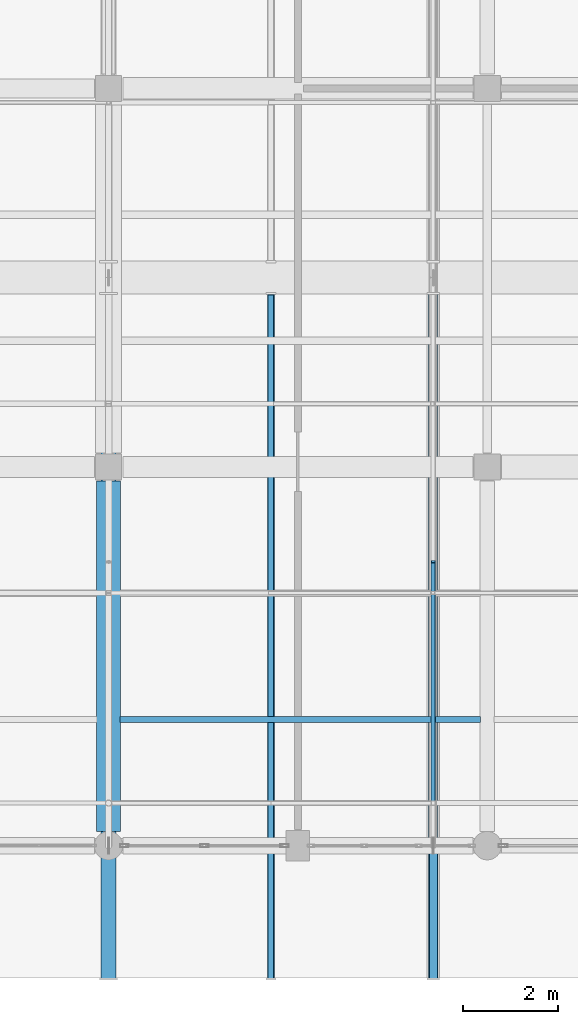
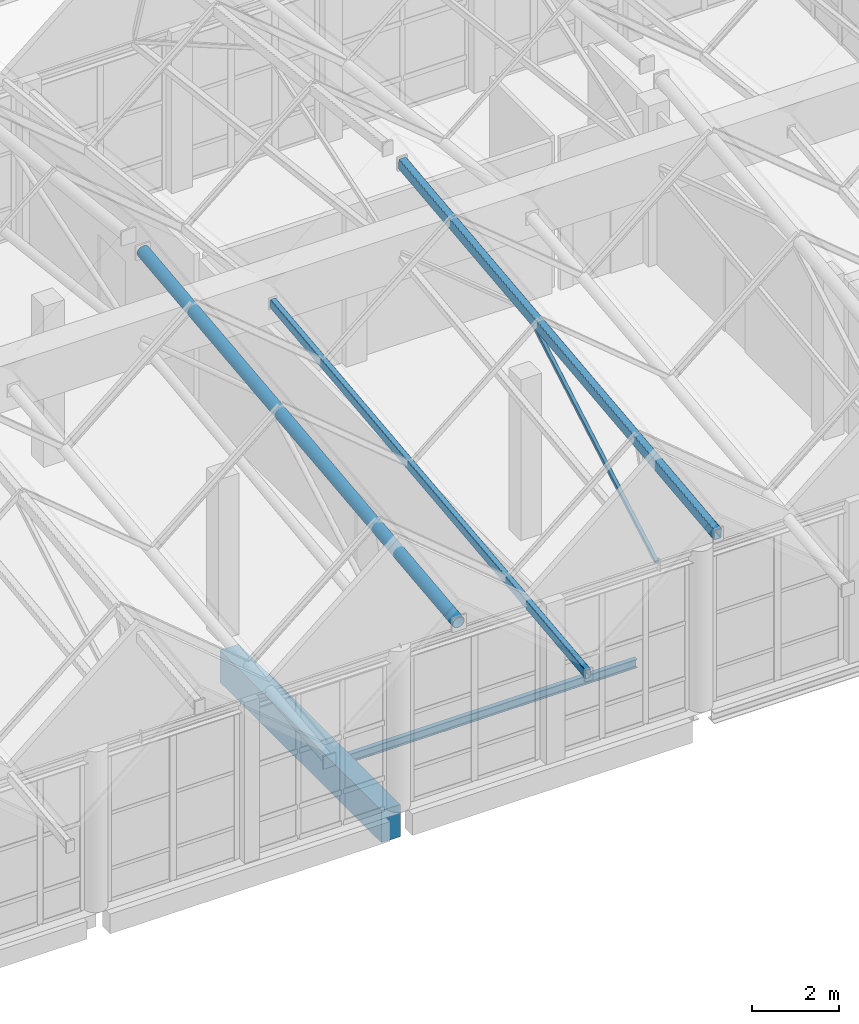
# One storey, part 74 of 183: 5 beams, 1 member.
"""IFC4 building model written with IfcOpenShell, lengths in metres."""

from ifc_helpers import new_model, si_unit, direction, frame, origin, origin_2d, place, context, subcontext, project, spatial, rectangle, hollow_rectangle, hollow_circle, i_section, extrude, material, material_profile, profile_set, type_object, element, save


model = new_model("IFC4")

# Units and contexts
model_context = context("Model", 3, precision=1e-05, world=origin(), true_north=direction((0.0, 1.0)))
body_context = subcontext(model_context, "Body", "Model", "MODEL_VIEW")
ifc_project = project(units=[si_unit("LENGTHUNIT", "METRE"), si_unit("AREAUNIT", "SQUARE_METRE"), si_unit("VOLUMEUNIT", "CUBIC_METRE"), si_unit("PLANEANGLEUNIT", "RADIAN"), si_unit("MASSUNIT", "GRAM", prefix="KILO")], contexts=[model_context])

# Site, building, storey
site_placement = place(None, origin())
site = spatial("IfcSite", under=ifc_project, at=site_placement, CompositionType="ELEMENT")
building_placement = place(site_placement, origin())
building = spatial("IfcBuilding", under=site, at=building_placement, Name="Luwemba Playhouse", CompositionType="ELEMENT")
storey_placement = place(building_placement, frame((0.0, 0.0, 4.800048828125)))
storey = spatial("IfcBuildingStorey", under=building, at=storey_placement, Name="L01", CompositionType="ELEMENT", Elevation=4.800048828125)

# Beams
ifc_material_1 = material(Name="Concrete C40/50", Category="concrete")
ifc_material_profile_1 = material_profile(ifc_material_1, rectangle(XDim=0.5, YDim=0.89990234375, at=origin_2d()))
ifc_profile_set_1 = profile_set([ifc_material_profile_1], Name="Concrete C40/50")
beam_type_1 = type_object("IfcBeamType", Name="BM-RB07", PredefinedType="BEAM", material=ifc_profile_set_1)
beam_1_placement = place(storey_placement, frame((148.0, 3.300048828125, -0.699951171875), z_axis=(0.0, 1.0, 0.0), x_axis=(-1.0, 0.0, 0.0)))
element("IfcBeam", 1, at=beam_1_placement, inside=storey, type_object=beam_type_1, Name="L01 transverse girder 0552", PredefinedType="BEAM", context=body_context, shape_type="SweptSolid", body=[
    extrude(rectangle(XDim=0.5, YDim=0.89990234375, at=origin_2d()), origin(), (0.0, 0.0, 1.0), 7.39990234375),
])
ifc_material_2 = material(Name="Steel S355", Category="steel")
ifc_material_profile_2 = material_profile(ifc_material_2, hollow_rectangle(XDim=0.14990234375, YDim=0.25, WallThickness=0.010009765625, InnerFilletRadius=0.014892578125, OuterFilletRadius=0.02490234375, at=origin_2d()))
ifc_profile_set_2 = profile_set([ifc_material_profile_2], Name="Steel S355")
beam_type_2 = type_object("IfcBeamType", Name="BM-RTG1", PredefinedType="USERDEFINED", material=ifc_profile_set_2)
beam_2_placement = place(storey_placement, frame((151.4287109375, 0.199951171875, 4.166259765625), z_axis=(0.0, 0.993786292845, 0.111305005073), x_axis=(-1.0, 0.0, 0.0)))
element("IfcBeam", 2, at=beam_2_placement, inside=storey, type_object=beam_type_2, Name="ROOF TRUSS valley girder 0328", ObjectType="ROOF TRUSS", PredefinedType="USERDEFINED", context=body_context, shape_type="SweptSolid", body=[
    extrude(hollow_rectangle(XDim=0.14990234375, YDim=0.25, WallThickness=0.010009765625, InnerFilletRadius=0.014892578125, OuterFilletRadius=0.02490234375, at=origin_2d()), origin(), (0.0, 0.0, 1.0), 14.540283203125),
])
ifc_material_profile_3 = material_profile(ifc_material_2, hollow_rectangle(XDim=0.199951171875, YDim=0.300048828125, WallThickness=0.012451171875, InnerFilletRadius=0.018798828125, OuterFilletRadius=0.03125, at=origin_2d()))
ifc_profile_set_3 = profile_set([ifc_material_profile_3], Name="Steel S355")
beam_type_3 = type_object("IfcBeamType", Name="BM-RTG2", PredefinedType="USERDEFINED", material=ifc_profile_set_3)
beam_3_placement = place(storey_placement, frame((154.857177734375, 0.199951171875, 6.87060546875), z_axis=(0.0, 0.993786292845, 0.111305005073), x_axis=(-1.0, 0.0, 0.0)))
element("IfcBeam", 3, at=beam_3_placement, inside=storey, type_object=beam_type_3, Name="ROOF TRUSS ridge girder 0330", ObjectType="ROOF TRUSS", PredefinedType="USERDEFINED", context=body_context, shape_type="SweptSolid", body=[
    extrude(hollow_rectangle(XDim=0.199951171875, YDim=0.300048828125, WallThickness=0.012451171875, InnerFilletRadius=0.018798828125, OuterFilletRadius=0.03125, at=origin_2d()), origin(), (0.0, 0.0, 1.0), 14.540283203125),
])
ifc_material_profile_4 = material_profile(ifc_material_2, hollow_circle(Radius=0.161865234375, WallThickness=0.01611328125, at=origin_2d()))
ifc_profile_set_4 = profile_set([ifc_material_profile_4], Name="Steel S355")
beam_type_4 = type_object("IfcBeamType", Name="BM-RTG4", PredefinedType="USERDEFINED", material=ifc_profile_set_4)
beam_4_placement = place(storey_placement, frame((148.0, 0.199951171875, 6.80712890625), z_axis=(0.0, 0.993786292845, 0.111305005073), x_axis=(-1.0, 0.0, 0.0)))
element("IfcBeam", 4, at=beam_4_placement, inside=storey, type_object=beam_type_4, Name="ROOF TRUSS ridge girder 0326", ObjectType="ROOF TRUSS", PredefinedType="USERDEFINED", context=body_context, shape_type="SweptSolid", body=[
    extrude(hollow_circle(Radius=0.161865234375, WallThickness=0.01611328125, at=origin_2d()), origin(), (0.0, 0.0, 1.0), 14.540283203125),
])
ifc_material_profile_5 = material_profile(ifc_material_2, i_section(OverallWidth=0.1201171875, OverallDepth=0.239990234375, WebThickness=0.006103515625, FlangeThickness=0.009765625, FilletRadius=0.014892578125, at=origin_2d()))
ifc_profile_set_5 = profile_set([ifc_material_profile_5], Name="Steel S355")
beam_type_5 = type_object("IfcBeamType", Name="BM-SJ03", PredefinedType="JOIST", material=ifc_profile_set_5)
beam_5_placement = place(storey_placement, frame((148.24609375, 5.666748046875, -0.3701171875), z_axis=(1.0, 0.0, 0.0), x_axis=(0.0, 1.0, 0.0)))
element("IfcBeam", 5, at=beam_5_placement, inside=storey, type_object=beam_type_5, Name="L01 composite floor joist 0322", PredefinedType="JOIST", context=body_context, shape_type="SweptSolid", body=[
    extrude(i_section(OverallWidth=0.1201171875, OverallDepth=0.239990234375, WebThickness=0.006103515625, FlangeThickness=0.009765625, FilletRadius=0.014892578125, at=origin_2d()), origin(), (0.0, 0.0, 1.0), 7.60791015625),
])

# Member
ifc_material_profile_6 = material_profile(ifc_material_2, hollow_rectangle(XDim=0.10009765625, YDim=0.10009765625, WallThickness=0.00634765625, InnerFilletRadius=0.009521484375, OuterFilletRadius=0.015869140625, at=origin_2d()))
ifc_profile_set_6 = profile_set([ifc_material_profile_6], Name="Steel S355")
member_type = type_object("IfcMemberType", Name="MEM-MB05", PredefinedType="BRACE", material=ifc_profile_set_6)
member_placement = place(storey_placement, frame((154.857177734375, 3.0, 4.39990234375), z_axis=(0.0, 0.866512940122, 0.499154609917), x_axis=(-1.0, 0.0, 0.0)))
element("IfcMember", 6, at=member_placement, inside=storey, type_object=member_type, Name="ROOF TRUSS web diagonal 0291", PredefinedType="BRACE", context=body_context, shape_type="SweptSolid", body=[
    extrude(hollow_rectangle(XDim=0.10009765625, YDim=0.10009765625, WallThickness=0.00634765625, InnerFilletRadius=0.009521484375, OuterFilletRadius=0.015869140625, at=origin_2d()), origin(), (0.0, 0.0, 1.0), 6.92431640625),
])

save(model, "model.ifc")
